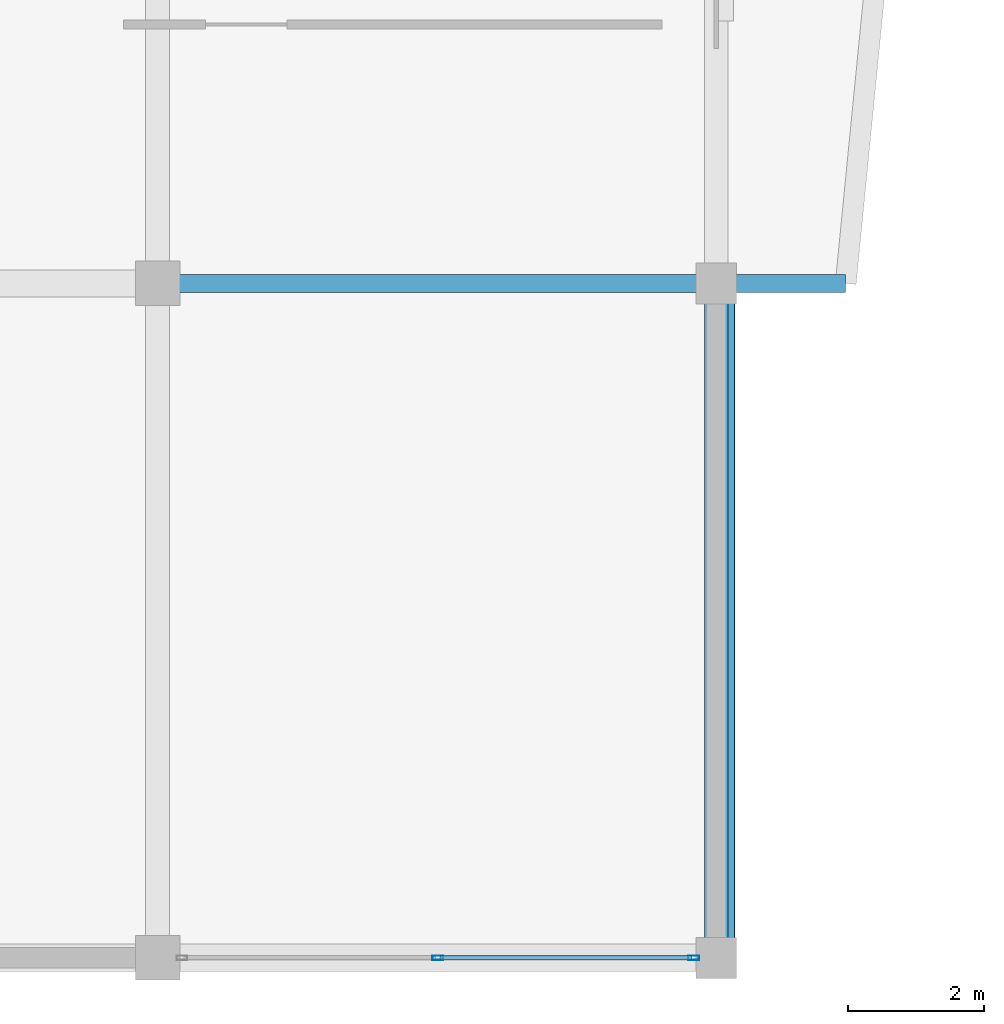
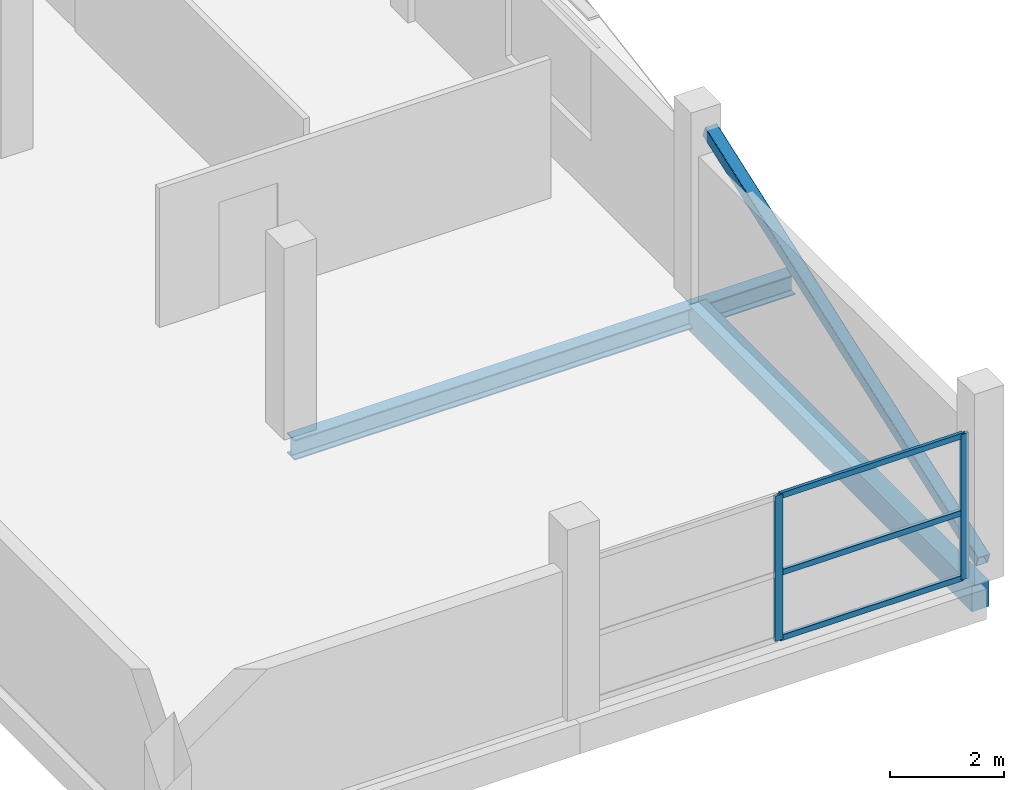
# One storey, part 14 of 66: 6 members, 2 beams, 1 element without a shape of its own.
"""IFC4 building model written with IfcOpenShell, lengths in metres."""

from ifc_helpers import new_model, si_unit, direction, frame, origin, origin_2d, place, context, subcontext, project, spatial, rectangle, hollow_rectangle, i_section, extrude, material, layer, layer_set, material_profile, profile_set, type_object, element, aggregate, save


model = new_model("IFC4")

# Units and contexts
model_context = context("Model", 3, precision=1e-05, world=origin(), true_north=direction((0.0, 1.0)))
body_context = subcontext(model_context, "Body", "Model", "MODEL_VIEW")
ifc_project = project(units=[si_unit("LENGTHUNIT", "METRE"), si_unit("AREAUNIT", "SQUARE_METRE"), si_unit("VOLUMEUNIT", "CUBIC_METRE"), si_unit("PLANEANGLEUNIT", "RADIAN"), si_unit("MASSUNIT", "GRAM", prefix="KILO")], contexts=[model_context])

# Site, building, storey
site_placement = place(None, origin())
site = spatial("IfcSite", under=ifc_project, at=site_placement, CompositionType="ELEMENT")
building_placement = place(site_placement, origin())
building = spatial("IfcBuilding", under=site, at=building_placement, Name="Sillaruma Civic Art Gallery", CompositionType="ELEMENT")
storey_placement = place(building_placement, frame((0.0, 0.0, 62.219970703125)))
storey = spatial("IfcBuildingStorey", under=building, at=storey_placement, Name="L12", CompositionType="ELEMENT", Elevation=62.219970703125)

# Beams
ifc_material_1 = material(Name="Structural Steel ASTM A992 Gr.50", Category="steel")
ifc_material_profile_1 = material_profile(ifc_material_1, i_section(OverallWidth=0.264892578125, OverallDepth=0.430908203125, WebThickness=0.014892578125, FlangeThickness=0.02490234375, FilletRadius=0.012939453125, at=origin_2d()), Name="W410x149")
ifc_profile_set_1 = profile_set([ifc_material_profile_1], Name="Structural Steel ASTM A992 Gr.50")
beam_type_1 = type_object("IfcBeamType", Name="BM-PROW-W410x149", PredefinedType="BEAM", material=ifc_profile_set_1)
beam_1_placement = place(storey_placement, frame((106.199951171875, 29.699951171875, -0.445556640625), z_axis=(1.0, 0.0, 0.0), x_axis=(0.0, 1.0, 0.0)))
element("IfcBeam", 1, at=beam_1_placement, inside=storey, type_object=beam_type_1, Name="Back-Spanned Prow Beam (PRW-L11-E-ROF-S)", PredefinedType="BEAM", context=body_context, shape_type="SweptSolid", body=[
    extrude(i_section(OverallWidth=0.264892578125, OverallDepth=0.430908203125, WebThickness=0.014892578125, FlangeThickness=0.02490234375, FilletRadius=0.012939453125, at=origin_2d()), origin(), (0.0, 0.0, 1.0), 10.10009765625),
])
ifc_material_2 = material(Name="Concrete H35 (35 MPa)", Category="concrete")
ifc_material_profile_2 = material_profile(ifc_material_2, rectangle(XDim=0.35009765625, YDim=0.550048828125, at=origin_2d()), Name="RCB350x550")
ifc_profile_set_2 = profile_set([ifc_material_profile_2], Name="Concrete H35 (35 MPa)")
beam_type_2 = type_object("IfcBeamType", Name="BM-SPANDREL-RCB350x550", PredefinedType="SPANDREL", material=ifc_profile_set_2)
beam_2_placement = place(storey_placement, frame((114.39990234375, 19.800048828125, -0.5048828125), z_axis=(0.0, 1.0, 0.0), x_axis=(-1.0, 0.0, 0.0)))
element("IfcBeam", 2, at=beam_2_placement, inside=storey, type_object=beam_type_2, Name="Beam BS-04 (L11:N:3-4)", PredefinedType="SPANDREL", context=body_context, shape_type="SweptSolid", body=[
    extrude(rectangle(XDim=0.35009765625, YDim=0.550048828125, at=origin_2d()), origin(), (0.0, 0.0, 1.0), 9.89990234375),
])

# Member
ifc_material_3 = material(Name="Structural Steel ASTM A500 Gr.C", Category="steel")
ifc_material_profile_3 = material_profile(ifc_material_3, hollow_rectangle(XDim=0.25, YDim=0.25, WallThickness=0.012451171875, InnerFilletRadius=0.012451171875, OuterFilletRadius=0.02490234375, at=origin_2d()), Name="HSS250x250x12.5")
ifc_profile_set_3 = profile_set([ifc_material_profile_3], Name="Structural Steel ASTM A500 Gr.C")
member_type_1 = type_object("IfcMemberType", Name="MEM-MEGA-BRACE", PredefinedType="BRACE", material=ifc_profile_set_3)
member_1_placement = place(storey_placement, frame((114.550048828125, 19.97998046875, 0.10009765625), z_axis=(0.0, 0.941968577938, 0.335701054775), x_axis=(-1.0, 0.0, 0.0)))
element("IfcMember", 3, at=member_1_placement, inside=storey, type_object=member_type_1, Name="Exterior Expressed Gallery Seismic Diagonal Brace (L12-ES)", PredefinedType="BRACE", context=body_context, shape_type="SweptSolid", body=[
    extrude(hollow_rectangle(XDim=0.25, YDim=0.25, WallThickness=0.012451171875, InnerFilletRadius=0.012451171875, OuterFilletRadius=0.02490234375, at=origin_2d()), origin(), (0.0, 0.0, 1.0), 10.127685546875),
])

# Curtain wall, members
ifc_material_4 = material(Name="Thermally Broken Extruded Aluminium 6063-T6", Category="aluminium")
ifc_layer = layer(ifc_material_4, 0.159912109375, Name="Thermally Broken Extruded Aluminium 6063-T6")
ifc_layer_set = layer_set([ifc_layer], Name="Thermally Broken Extruded Aluminium 6063-T6")
curtain_wall_type = type_object("IfcCurtainWallType", Name="CW-UNI-103", PredefinedType="NOTDEFINED", material=ifc_layer_set)
curtain_wall_placement = place(storey_placement, origin())
curtain_wall = element("IfcCurtainWall", 4, at=curtain_wall_placement, inside=storey, type_object=curtain_wall_type, Name="Unitised Curtain Wall CW-103 (CW-L12-EBS-2)", PredefinedType="NOTDEFINED")
ifc_material_profile_4 = material_profile(ifc_material_4, hollow_rectangle(XDim=0.06494140625, YDim=0.159912109375, WallThickness=0.00390625, at=origin_2d()), Name="CWM65x160")
ifc_profile_set_4 = profile_set([ifc_material_profile_4], Name="Thermally Broken Extruded Aluminium 6063-T6")
member_type_2 = type_object("IfcMemberType", Name="MEM-MUL-CWM65x160", PredefinedType="MULLION", material=ifc_profile_set_4)
member_2_placement = place(storey_placement, frame((110.3125, 19.800048828125, 0.0), z_axis=(0.0, 0.0, 1.0), x_axis=(0.0, 1.0, 0.0)))
member_2 = element("IfcMember", 5, at=member_2_placement, type_object=member_type_2, Name="CW-103 mullion 2", PredefinedType="MULLION", context=body_context, shape_type="SweptSolid", body=[
    extrude(hollow_rectangle(XDim=0.06494140625, YDim=0.159912109375, WallThickness=0.00390625, at=origin_2d()), origin(), (0.0, 0.0, 1.0), 3.10009765625),
])
member_3_placement = place(storey_placement, frame((114.0673828125, 19.800048828125, 0.0), z_axis=(0.0, 0.0, 1.0), x_axis=(0.0, 1.0, 0.0)))
member_3 = element("IfcMember", 6, at=member_3_placement, type_object=member_type_2, Name="CW-103 mullion 3", PredefinedType="MULLION", context=body_context, shape_type="SweptSolid", body=[
    extrude(hollow_rectangle(XDim=0.06494140625, YDim=0.159912109375, WallThickness=0.00390625, at=origin_2d()), origin(), (0.0, 0.0, 1.0), 3.10009765625),
])
ifc_material_profile_5 = material_profile(ifc_material_4, hollow_rectangle(XDim=0.06494140625, YDim=0.1201171875, WallThickness=0.00341796875, at=origin_2d()), Name="CWT65x120")
ifc_profile_set_5 = profile_set([ifc_material_profile_5], Name="Thermally Broken Extruded Aluminium 6063-T6")
member_type_3 = type_object("IfcMemberType", Name="MEM-TRN-CWT65x120", PredefinedType="USERDEFINED", material=ifc_profile_set_5)
member_4_placement = place(storey_placement, frame((110.344970703125, 19.800048828125, 0.032470703125), z_axis=(1.0, 0.0, 0.0), x_axis=(0.0, 1.0, 0.0)))
member_4 = element("IfcMember", 7, at=member_4_placement, type_object=member_type_3, Name="CW-103 transom 2.1", ObjectType="TRANSOM", PredefinedType="USERDEFINED", context=body_context, shape_type="SweptSolid", body=[
    extrude(hollow_rectangle(XDim=0.06494140625, YDim=0.1201171875, WallThickness=0.00341796875, at=origin_2d()), origin(), (0.0, 0.0, 1.0), 3.68994140625),
])
member_5_placement = place(storey_placement, frame((110.344970703125, 19.800048828125, 1.426025390625), z_axis=(1.0, 0.0, 0.0), x_axis=(0.0, 1.0, 0.0)))
member_5 = element("IfcMember", 8, at=member_5_placement, type_object=member_type_3, Name="CW-103 transom 2.2", ObjectType="TRANSOM", PredefinedType="USERDEFINED", context=body_context, shape_type="SweptSolid", body=[
    extrude(hollow_rectangle(XDim=0.06494140625, YDim=0.1201171875, WallThickness=0.00341796875, at=origin_2d()), origin(), (0.0, 0.0, 1.0), 3.68994140625),
])
member_6_placement = place(storey_placement, frame((110.344970703125, 19.800048828125, 3.067626953125), z_axis=(1.0, 0.0, 0.0), x_axis=(0.0, 1.0, 0.0)))
member_6 = element("IfcMember", 9, at=member_6_placement, type_object=member_type_3, Name="CW-103 transom 2.3", ObjectType="TRANSOM", PredefinedType="USERDEFINED", context=body_context, shape_type="SweptSolid", body=[
    extrude(hollow_rectangle(XDim=0.06494140625, YDim=0.1201171875, WallThickness=0.00341796875, at=origin_2d()), origin(), (0.0, 0.0, 1.0), 3.68994140625),
])
aggregate(curtain_wall, [member_2, member_3, member_4, member_5, member_6])

save(model, "model.ifc")
